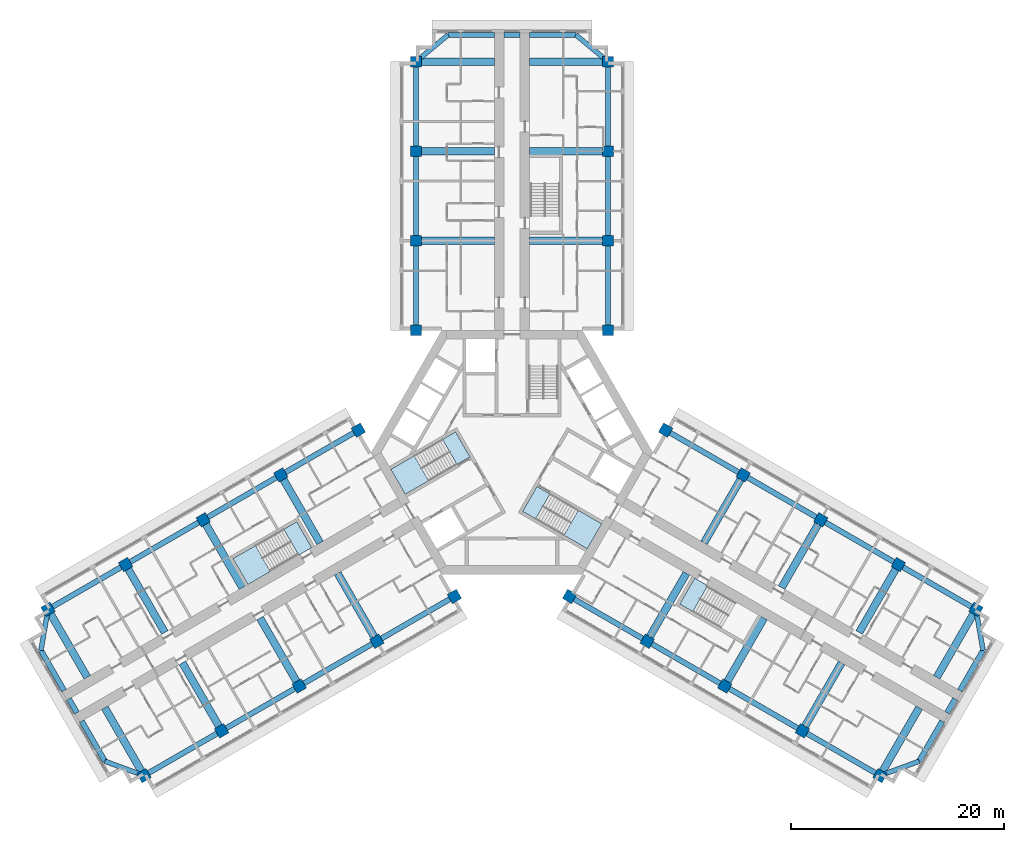
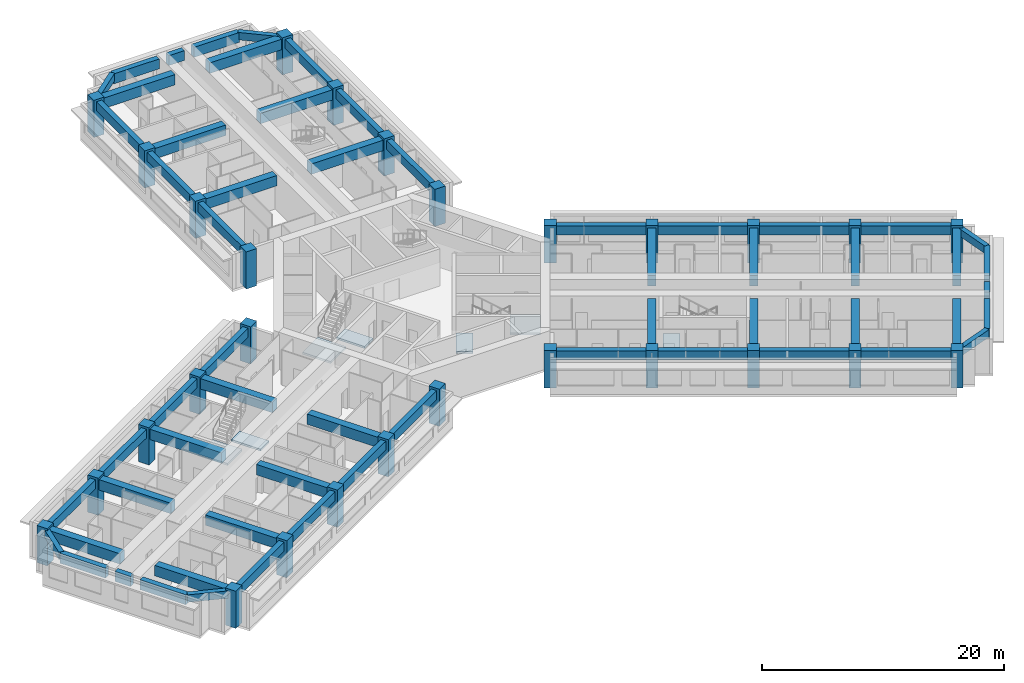
# One storey, part 1 of 15: 59 beams, 28 columns, 7 slabs, 4 elements without a shape of their own.
"""IFC4 building model written with IfcOpenShell, lengths in metres."""

from ifc_helpers import new_model, si_unit, direction, frame, origin, origin_2d, place, context, subcontext, project, spatial, polyline, rectangle, outline, extrude, material, layer, layer_set, material_profile, profile_set, type_object, element, aggregate, save


model = new_model("IFC4")

# Units and contexts
model_context = context("Model", 3, precision=1e-05, world=origin(), true_north=direction((0.0, 1.0)))
body_context = subcontext(model_context, "Body", "Model", "MODEL_VIEW")
ifc_project = project(units=[si_unit("LENGTHUNIT", "METRE"), si_unit("AREAUNIT", "SQUARE_METRE"), si_unit("VOLUMEUNIT", "CUBIC_METRE"), si_unit("PLANEANGLEUNIT", "RADIAN"), si_unit("MASSUNIT", "GRAM", prefix="KILO")], contexts=[model_context])

# Site, building, storey
site_placement = place(None, origin())
site = spatial("IfcSite", under=ifc_project, at=site_placement, CompositionType="ELEMENT")
building_placement = place(site_placement, origin())
building = spatial("IfcBuilding", under=site, at=building_placement, Name="Impinga Residences", CompositionType="ELEMENT")
storey_placement = place(building_placement, frame((0.0, 0.0, 113.5)))
storey = spatial("IfcBuildingStorey", under=building, at=storey_placement, Name="L27", CompositionType="ELEMENT", Elevation=113.5)

# Columns
ifc_material_1 = material(Name="Concrete C60/75", Category="concrete")
ifc_material_profile_1 = material_profile(ifc_material_1, rectangle(XDim=1.0, YDim=1.0, at=origin_2d()), Name="RC 1000x1000")
ifc_profile_set_1 = profile_set([ifc_material_profile_1], Name="Concrete C60/75")
column_type = type_object("IfcColumnType", Name="C3 1000x1000 column", PredefinedType="COLUMN", material=ifc_profile_set_1)
for number, where, z_axis, x_axis, name in (
    (1, (-9.0, 11.431640625, 0.0), (0.0, 0.0, 1.0), (1.0, 0.0, 0.0), "Column C3 N1/NA L27"),
    (2, (9.0, 11.431640625, 0.0), (0.0, 0.0, 1.0), (1.0, 0.0, 0.0), "Column C3 N1/NF L27"),
    (3, (-9.0, 19.83154296875, 0.0), (0.0, 0.0, 1.0), (1.0, 0.0, 0.0), "Column C3 N2/NA L27"),
    (4, (9.0, 19.83154296875, 0.0), (0.0, 0.0, 1.0), (1.0, 0.0, 0.0), "Column C3 N2/NF L27"),
    (5, (-9.0, 28.2314453125, 0.0), (0.0, 0.0, 1.0), (1.0, 0.0, 0.0), "Column C3 N3/NA L27"),
    (6, (9.0, 28.2314453125, 0.0), (0.0, 0.0, 1.0), (1.0, 0.0, 0.0), "Column C3 N3/NF L27"),
    (7, (-9.0, 36.631591796875, 0.0), (0.0, 0.0, 1.0), (1.0, 0.0, 0.0), "Column C3 N4/NA L27"),
    (8, (9.0, 36.631591796875, 0.0), (0.0, 0.0, 1.0), (1.0, 0.0, 0.0), "Column C3 N4/NF L27"),
    (9, (-5.39990234375, -13.510009765625, 0.0), (0.0, 0.0, 1.0), (-0.5, 0.866025403784, 0.0), "Column C3 W1/WA L27"),
    (10, (-14.39990234375, 2.078369140625, 0.0), (0.0, 0.0, 1.0), (-0.5, 0.866025403784, 0.0), "Column C3 W1/WF L27"),
    (11, (-12.674560546875, -17.7099609375, 0.0), (0.0, 0.0, 1.0), (-0.5, 0.866025403784, 0.0), "Column C3 W2/WA L27"),
    (12, (-21.674560546875, -2.12158203125, 0.0), (0.0, 0.0, 1.0), (-0.5, 0.866025403784, 0.0), "Column C3 W2/WF L27"),
    (13, (-19.94921875, -21.909912109375, 0.0), (0.0, 0.0, 1.0), (-0.5, 0.866025403784, 0.0), "Column C3 W3/WA L27"),
    (14, (-28.94921875, -6.321533203125, 0.0), (0.0, 0.0, 1.0), (-0.5, 0.866025403784, 0.0), "Column C3 W3/WF L27"),
    (15, (-27.223876953125, -26.110107421875, 0.0), (0.0, 0.0, 1.0), (-0.5, 0.866025403784, 0.0), "Column C3 W4/WA L27"),
    (16, (-36.223876953125, -10.521484375, 0.0), (0.0, 0.0, 1.0), (-0.5, 0.866025403784, 0.0), "Column C3 W4/WF L27"),
    (17, (-34.49853515625, -30.31005859375, 0.0), (0.0, 0.0, 1.0), (-0.5, 0.866025403784, 0.0), "Column C3 W5/WA L27"),
    (18, (-43.49853515625, -14.721435546875, 0.0), (0.0, 0.0, 1.0), (-0.5, 0.866025403784, 0.0), "Column C3 W5/WF L27"),
    (19, (14.39990234375, 2.078369140625, 0.0), (0.0, 0.0, 1.0), (-0.5, -0.866025403784, 0.0), "Column C3 E1/EA L27"),
    (20, (5.39990234375, -13.510009765625, 0.0), (0.0, 0.0, 1.0), (-0.5, -0.866025403784, 0.0), "Column C3 E1/EF L27"),
    (21, (21.674560546875, -2.12158203125, 0.0), (0.0, 0.0, 1.0), (-0.5, -0.866025403784, 0.0), "Column C3 E2/EA L27"),
    (22, (12.674560546875, -17.7099609375, 0.0), (0.0, 0.0, 1.0), (-0.5, -0.866025403784, 0.0), "Column C3 E2/EF L27"),
    (23, (28.94921875, -6.321533203125, 0.0), (0.0, 0.0, 1.0), (-0.5, -0.866025403784, 0.0), "Column C3 E3/EA L27"),
    (24, (19.94921875, -21.909912109375, 0.0), (0.0, 0.0, 1.0), (-0.5, -0.866025403784, 0.0), "Column C3 E3/EF L27"),
    (25, (36.223876953125, -10.521484375, 0.0), (0.0, 0.0, 1.0), (-0.5, -0.866025403784, 0.0), "Column C3 E4/EA L27"),
    (26, (27.223876953125, -26.110107421875, 0.0), (0.0, 0.0, 1.0), (-0.5, -0.866025403784, 0.0), "Column C3 E4/EF L27"),
    (27, (43.49853515625, -14.721435546875, 0.0), (0.0, 0.0, 1.0), (-0.5, -0.866025403784, 0.0), "Column C3 E5/EA L27"),
    (28, (34.49853515625, -30.31005859375, 0.0), (0.0, 0.0, 1.0), (-0.5, -0.866025403784, 0.0), "Column C3 E5/EF L27"),
):
    element("IfcColumn", number, at=place(storey_placement, frame(where, z_axis=z_axis, x_axis=x_axis)), inside=storey, type_object=column_type, Name=name, PredefinedType="COLUMN", context=body_context, shape_type="SweptSolid", body=[
        extrude(rectangle(XDim=1.0, YDim=1.0, at=origin_2d()), origin(), (0.0, 0.0, 1.0), 3.75),
    ])

# Beams
ifc_material_profile_2 = material_profile(ifc_material_1, rectangle(XDim=0.449951171875, YDim=0.75, at=origin_2d()), Name="RC 450x750")
ifc_profile_set_2 = profile_set([ifc_material_profile_2], Name="Concrete C60/75")
beam_type_1 = type_object("IfcBeamType", Name="CB1 450x750 wing end cantilever beam", PredefinedType="BEAM", material=ifc_profile_set_2)
for number, where, z_axis, x_axis, name in (
    (29, (-9.0, 36.631591796875, 3.155029296875), (0.768221279597, 0.640184399664, 0.0), (-0.640184399664, 0.768221279597, 0.0), "Beam CB1 NB N4-NX level L28"),
    (30, (9.0, 36.631591796875, 3.155029296875), (-0.768221279597, 0.640184399664, 0.0), (-0.640184399664, -0.768221279597, 0.0), "Beam CB1 NE N4-NX level L28"),
    (31, (-34.49853515625, -30.31005859375, 3.155029296875), (-0.938520178725, 0.345224382289, 0.0), (-0.345224382289, -0.938520178725, 0.0), "Beam CB1 WB W5-WX level L28"),
):
    element("IfcBeam", number, at=place(storey_placement, frame(where, z_axis=z_axis, x_axis=x_axis)), inside=storey, type_object=beam_type_1, Name=name, PredefinedType="BEAM", context=body_context, shape_type="SweptSolid", body=[
        extrude(rectangle(XDim=0.449951171875, YDim=0.75, at=origin_2d()), origin(), (0.0, 0.0, 1.0), 3.905029296875),
    ])
for number, where, z_axis, x_axis, name in (
    (32, (-43.49853515625, -14.721435546875, 3.155029296875), (-0.170296298948, -0.985392901621, 0.0), (0.985392901621, -0.170296298948, 0.0), "Beam CB1 WE W5-WX level L28"),
    (33, (43.49853515625, -14.721435546875, 3.155029296875), (0.170296298948, -0.985392901621, 0.0), (0.985392901621, 0.170296298948, 0.0), "Beam CB1 EB E5-EX level L28"),
):
    element("IfcBeam", number, at=place(storey_placement, frame(where, z_axis=z_axis, x_axis=x_axis)), inside=storey, type_object=beam_type_1, Name=name, PredefinedType="BEAM", context=body_context, shape_type="SweptSolid", body=[
        extrude(rectangle(XDim=0.449951171875, YDim=0.75, at=origin_2d()), origin(), (0.0, 0.0, 1.0), 3.9052734375),
    ])
beam_1_placement = place(storey_placement, frame((34.49853515625, -30.31005859375, 3.155029296875), z_axis=(0.938520178725, 0.345224382289, 0.0), x_axis=(-0.345224382289, 0.938520178725, 0.0)))
element("IfcBeam", 34, at=beam_1_placement, inside=storey, type_object=beam_type_1, Name="Beam CB1 EE E5-EX level L28", PredefinedType="BEAM", context=body_context, shape_type="SweptSolid", body=[
    extrude(rectangle(XDim=0.449951171875, YDim=0.75, at=origin_2d()), origin(), (0.0, 0.0, 1.0), 3.905029296875),
])
ifc_material_profile_3 = material_profile(ifc_material_1, rectangle(XDim=0.699951171875, YDim=1.050048828125, at=origin_2d()), Name="RC 700x1050")
ifc_profile_set_3 = profile_set([ifc_material_profile_3], Name="Concrete C60/75")
beam_type_2 = type_object("IfcBeamType", Name="CG1 700x1050 cross girder on a wing bay line", PredefinedType="BEAM", material=ifc_profile_set_3)
for number, where, z_axis, x_axis, name in (
    (35, (-1.64990234375, 19.83154296875, 3.0048828125), (-1.0, 0.0, 0.0), (0.0, -1.0, 0.0), "Beam CG1 N2 NC/NA level L28"),
    (36, (-1.64990234375, 28.2314453125, 3.0048828125), (-1.0, 0.0, 0.0), (0.0, -1.0, 0.0), "Beam CG1 N3 NC/NA level L28"),
    (37, (-1.64990234375, 36.631591796875, 3.0048828125), (-1.0, 0.0, 0.0), (0.0, -1.0, 0.0), "Beam CG1 N4 NC/NA level L28"),
    (38, (1.64990234375, 19.83154296875, 3.0048828125), (1.0, 0.0, 0.0), (0.0, 1.0, 0.0), "Beam CG1 N2 NC/NF level L28"),
    (39, (1.64990234375, 28.2314453125, 3.0048828125), (1.0, 0.0, 0.0), (0.0, 1.0, 0.0), "Beam CG1 N3 NC/NF level L28"),
    (40, (1.64990234375, 36.631591796875, 3.0048828125), (1.0, 0.0, 0.0), (0.0, 1.0, 0.0), "Beam CG1 N4 NC/NF level L28"),
    (41, (-16.349609375, -11.3447265625, 3.0048828125), (0.500008066151, -0.86602074674, 0.0), (0.86602074674, 0.500008066151, 0.0), "Beam CG1 W2 WC/WA level L28"),
    (42, (-23.624267578125, -15.544677734375, 3.0048828125), (0.500008066151, -0.86602074674, 0.0), (0.86602074674, 0.500008066151, 0.0), "Beam CG1 W3 WC/WA level L28"),
    (43, (-30.89892578125, -19.74462890625, 3.0048828125), (0.499993683172, -0.866029050776, 0.0), (0.866029050776, 0.499993683172, 0.0), "Beam CG1 W4 WC/WA level L28"),
):
    element("IfcBeam", number, at=place(storey_placement, frame(where, z_axis=z_axis, x_axis=x_axis)), inside=storey, type_object=beam_type_2, Name=name, PredefinedType="BEAM", context=body_context, shape_type="SweptSolid", body=[
        extrude(rectangle(XDim=0.699951171875, YDim=1.050048828125, at=origin_2d()), origin(), (0.0, 0.0, 1.0), 7.35009765625),
    ])
beam_2_placement = place(storey_placement, frame((-38.17333984375, -23.94482421875, 3.0048828125), z_axis=(0.499983153418, -0.866035129944, 0.0), x_axis=(0.866035129944, 0.499983153418, 0.0)))
element("IfcBeam", 44, at=beam_2_placement, inside=storey, type_object=beam_type_2, Name="Beam CG1 W5 WC/WA level L28", PredefinedType="BEAM", context=body_context, shape_type="SweptSolid", body=[
    extrude(rectangle(XDim=0.699951171875, YDim=1.050048828125, at=origin_2d()), origin(), (0.0, 0.0, 1.0), 7.349853515625),
])
for number, where, z_axis, x_axis, name in (
    (45, (-17.99951171875, -8.48681640625, 3.0048828125), (-0.500008066151, 0.86602074674, 0.0), (-0.86602074674, -0.500008066151, 0.0), "Beam CG1 W2 WC/WF level L28"),
    (46, (-25.274169921875, -12.686767578125, 3.0048828125), (-0.500008066151, 0.86602074674, 0.0), (-0.86602074674, -0.500008066151, 0.0), "Beam CG1 W3 WC/WF level L28"),
    (47, (-32.548828125, -16.88671875, 3.0048828125), (-0.500008066151, 0.86602074674, 0.0), (-0.86602074674, -0.500008066151, 0.0), "Beam CG1 W4 WC/WF level L28"),
    (48, (-39.823486328125, -21.0869140625, 3.0048828125), (-0.499993683172, 0.866029050776, 0.0), (-0.866029050776, -0.499993683172, 0.0), "Beam CG1 W5 WC/WF level L28"),
    (49, (17.99951171875, -8.48681640625, 3.0048828125), (0.500008066151, 0.86602074674, 0.0), (-0.86602074674, 0.500008066151, 0.0), "Beam CG1 E2 EC/EA level L28"),
    (50, (25.274169921875, -12.686767578125, 3.0048828125), (0.500008066151, 0.86602074674, 0.0), (-0.86602074674, 0.500008066151, 0.0), "Beam CG1 E3 EC/EA level L28"),
    (51, (32.548828125, -16.88671875, 3.0048828125), (0.500008066151, 0.86602074674, 0.0), (-0.86602074674, 0.500008066151, 0.0), "Beam CG1 E4 EC/EA level L28"),
    (52, (39.823486328125, -21.0869140625, 3.0048828125), (0.499993683172, 0.866029050776, 0.0), (-0.866029050776, 0.499993683172, 0.0), "Beam CG1 E5 EC/EA level L28"),
    (53, (16.349609375, -11.3447265625, 3.0048828125), (-0.500008066151, -0.86602074674, 0.0), (0.86602074674, -0.500008066151, 0.0), "Beam CG1 E2 EC/EF level L28"),
    (54, (23.624267578125, -15.544677734375, 3.0048828125), (-0.500008066151, -0.86602074674, 0.0), (0.86602074674, -0.500008066151, 0.0), "Beam CG1 E3 EC/EF level L28"),
    (55, (30.89892578125, -19.74462890625, 3.0048828125), (-0.499993683172, -0.866029050776, 0.0), (0.866029050776, -0.499993683172, 0.0), "Beam CG1 E4 EC/EF level L28"),
):
    element("IfcBeam", number, at=place(storey_placement, frame(where, z_axis=z_axis, x_axis=x_axis)), inside=storey, type_object=beam_type_2, Name=name, PredefinedType="BEAM", context=body_context, shape_type="SweptSolid", body=[
        extrude(rectangle(XDim=0.699951171875, YDim=1.050048828125, at=origin_2d()), origin(), (0.0, 0.0, 1.0), 7.35009765625),
    ])
beam_3_placement = place(storey_placement, frame((38.17333984375, -23.94482421875, 3.0048828125), z_axis=(-0.499983153418, -0.866035129944, 0.0), x_axis=(0.866035129944, -0.499983153418, 0.0)))
element("IfcBeam", 56, at=beam_3_placement, inside=storey, type_object=beam_type_2, Name="Beam CG1 E5 EC/EF level L28", PredefinedType="BEAM", context=body_context, shape_type="SweptSolid", body=[
    extrude(rectangle(XDim=0.699951171875, YDim=1.050048828125, at=origin_2d()), origin(), (0.0, 0.0, 1.0), 7.349853515625),
])
ifc_material_profile_4 = material_profile(ifc_material_1, rectangle(XDim=0.5, YDim=1.0, at=origin_2d()), Name="RC 500x1000")
ifc_profile_set_4 = profile_set([ifc_material_profile_4], Name="Concrete C60/75")
beam_type_3 = type_object("IfcBeamType", Name="EB1 500x1000 wing end beam", PredefinedType="BEAM", material=ifc_profile_set_4)
beam_4_placement = place(storey_placement, frame((-6.0, 39.131591796875, 3.030029296875), z_axis=(1.0, 0.0, 0.0), x_axis=(0.0, 1.0, 0.0)))
element("IfcBeam", 57, at=beam_4_placement, inside=storey, type_object=beam_type_3, Name="Beam EB1 NX3 level L28", PredefinedType="BEAM", context=body_context, shape_type="SweptSolid", body=[
    extrude(rectangle(XDim=0.5, YDim=1.0, at=origin_2d()), origin(), (0.0, 0.0, 1.0), 4.35009765625),
])
beam_5_placement = place(storey_placement, frame((-0.75, 39.131591796875, 3.030029296875), z_axis=(1.0, 0.0, 0.0), x_axis=(0.0, 1.0, 0.0)))
element("IfcBeam", 58, at=beam_5_placement, inside=storey, type_object=beam_type_3, Name="Beam EB1 NX3 level L28", PredefinedType="BEAM", context=body_context, shape_type="SweptSolid", body=[
    extrude(rectangle(XDim=0.5, YDim=1.0, at=origin_2d()), origin(), (0.0, 0.0, 1.0), 1.5),
])
beam_6_placement = place(storey_placement, frame((1.64990234375, 39.131591796875, 3.030029296875), z_axis=(1.0, 0.0, 0.0), x_axis=(0.0, 1.0, 0.0)))
element("IfcBeam", 59, at=beam_6_placement, inside=storey, type_object=beam_type_3, Name="Beam EB1 NX3 level L28", PredefinedType="BEAM", context=body_context, shape_type="SweptSolid", body=[
    extrude(rectangle(XDim=0.5, YDim=1.0, at=origin_2d()), origin(), (0.0, 0.0, 1.0), 4.35009765625),
])
beam_7_placement = place(storey_placement, frame((-38.16357421875, -28.9619140625, 3.030029296875), z_axis=(-0.500020430026, 0.866013608182, 0.0), x_axis=(-0.866013608182, -0.500020430026, 0.0)))
element("IfcBeam", 60, at=beam_7_placement, inside=storey, type_object=beam_type_3, Name="Beam EB1 WX4 level L28", PredefinedType="BEAM", context=body_context, shape_type="SweptSolid", body=[
    extrude(rectangle(XDim=0.5, YDim=1.0, at=origin_2d()), origin(), (0.0, 0.0, 1.0), 4.349853515625),
])
beam_8_placement = place(storey_placement, frame((-40.78857421875, -24.415283203125, 3.030029296875), z_axis=(-0.499990139034, 0.866031096941, 0.0), x_axis=(-0.866031096941, -0.499990139034, 0.0)))
element("IfcBeam", 61, at=beam_8_placement, inside=storey, type_object=beam_type_3, Name="Beam EB1 WX4 level L28", PredefinedType="BEAM", context=body_context, shape_type="SweptSolid", body=[
    extrude(rectangle(XDim=0.5, YDim=1.0, at=origin_2d()), origin(), (0.0, 0.0, 1.0), 1.5),
])
for number, where, z_axis, x_axis, name in (
    (62, (-41.988525390625, -22.3369140625, 3.030029296875), (-0.499996127374, 0.866027639635, 0.0), (-0.866027639635, -0.499996127374, 0.0), "Beam EB1 WX4 level L28"),
    (63, (44.16357421875, -18.569580078125, 3.030029296875), (-0.499996127374, -0.866027639635, 0.0), (0.866027639635, -0.499996127374, 0.0), "Beam EB1 EX4 level L28"),
):
    element("IfcBeam", number, at=place(storey_placement, frame(where, z_axis=z_axis, x_axis=x_axis)), inside=storey, type_object=beam_type_3, Name=name, PredefinedType="BEAM", context=body_context, shape_type="SweptSolid", body=[
        extrude(rectangle(XDim=0.5, YDim=1.0, at=origin_2d()), origin(), (0.0, 0.0, 1.0), 4.35009765625),
    ])
beam_9_placement = place(storey_placement, frame((41.53857421875, -23.1162109375, 3.030029296875), z_axis=(-0.499990139034, -0.866031096941, 0.0), x_axis=(0.866031096941, -0.499990139034, 0.0)))
element("IfcBeam", 64, at=beam_9_placement, inside=storey, type_object=beam_type_3, Name="Beam EB1 EX4 level L28", PredefinedType="BEAM", context=body_context, shape_type="SweptSolid", body=[
    extrude(rectangle(XDim=0.5, YDim=1.0, at=origin_2d()), origin(), (0.0, 0.0, 1.0), 1.5),
])
beam_10_placement = place(storey_placement, frame((40.338623046875, -25.19482421875, 3.030029296875), z_axis=(-0.500020430026, -0.866013608182, 0.0), x_axis=(0.866013608182, -0.500020430026, 0.0)))
element("IfcBeam", 65, at=beam_10_placement, inside=storey, type_object=beam_type_3, Name="Beam EB1 EX4 level L28", PredefinedType="BEAM", context=body_context, shape_type="SweptSolid", body=[
    extrude(rectangle(XDim=0.5, YDim=1.0, at=origin_2d()), origin(), (0.0, 0.0, 1.0), 4.349853515625),
])
ifc_material_profile_5 = material_profile(ifc_material_1, rectangle(XDim=0.5, YDim=0.89990234375, at=origin_2d()), Name="RC 500x900")
ifc_profile_set_5 = profile_set([ifc_material_profile_5], Name="Concrete C60/75")
beam_type_4 = type_object("IfcBeamType", Name="SB1 500x900 perimeter spandrel beam", PredefinedType="SPANDREL", material=ifc_profile_set_5)
for number, where, z_axis, x_axis, name in (
    (66, (-9.0, 11.431640625, 3.080078125), (0.0, 1.0, 0.0), (-1.0, 0.0, 0.0), "Beam SB1 NA N1-N2 level L28"),
    (67, (-9.0, 19.83154296875, 3.080078125), (0.0, 1.0, 0.0), (-1.0, 0.0, 0.0), "Beam SB1 NA N2-N3 level L28"),
):
    element("IfcBeam", number, at=place(storey_placement, frame(where, z_axis=z_axis, x_axis=x_axis)), inside=storey, type_object=beam_type_4, Name=name, PredefinedType="SPANDREL", context=body_context, shape_type="SweptSolid", body=[
        extrude(rectangle(XDim=0.5, YDim=0.89990234375, at=origin_2d()), origin(), (0.0, 0.0, 1.0), 8.39990234375),
    ])
beam_11_placement = place(storey_placement, frame((-9.0, 28.2314453125, 3.080078125), z_axis=(0.0, 1.0, 0.0), x_axis=(-1.0, 0.0, 0.0)))
element("IfcBeam", 68, at=beam_11_placement, inside=storey, type_object=beam_type_4, Name="Beam SB1 NA N3-N4 level L28", PredefinedType="SPANDREL", context=body_context, shape_type="SweptSolid", body=[
    extrude(rectangle(XDim=0.5, YDim=0.89990234375, at=origin_2d()), origin(), (0.0, 0.0, 1.0), 8.400146484375),
])
for number, where, z_axis, x_axis, name in (
    (69, (9.0, 11.431640625, 3.080078125), (0.0, 1.0, 0.0), (-1.0, 0.0, 0.0), "Beam SB1 NF N1-N2 level L28"),
    (70, (9.0, 19.83154296875, 3.080078125), (0.0, 1.0, 0.0), (-1.0, 0.0, 0.0), "Beam SB1 NF N2-N3 level L28"),
):
    element("IfcBeam", number, at=place(storey_placement, frame(where, z_axis=z_axis, x_axis=x_axis)), inside=storey, type_object=beam_type_4, Name=name, PredefinedType="SPANDREL", context=body_context, shape_type="SweptSolid", body=[
        extrude(rectangle(XDim=0.5, YDim=0.89990234375, at=origin_2d()), origin(), (0.0, 0.0, 1.0), 8.39990234375),
    ])
beam_12_placement = place(storey_placement, frame((9.0, 28.2314453125, 3.080078125), z_axis=(0.0, 1.0, 0.0), x_axis=(-1.0, 0.0, 0.0)))
element("IfcBeam", 71, at=beam_12_placement, inside=storey, type_object=beam_type_4, Name="Beam SB1 NF N3-N4 level L28", PredefinedType="SPANDREL", context=body_context, shape_type="SweptSolid", body=[
    extrude(rectangle(XDim=0.5, YDim=0.89990234375, at=origin_2d()), origin(), (0.0, 0.0, 1.0), 8.400146484375),
])
for number, where, z_axis, x_axis, name in (
    (72, (-5.39990234375, -13.510009765625, 3.080078125), (-0.86602925447, -0.499993330357, 0.0), (0.499993330357, -0.86602925447, 0.0), "Beam SB1 WA W1-W2 level L28"),
    (73, (-12.674560546875, -17.7099609375, 3.080078125), (-0.86602925447, -0.499993330357, 0.0), (0.499993330357, -0.86602925447, 0.0), "Beam SB1 WA W2-W3 level L28"),
):
    element("IfcBeam", number, at=place(storey_placement, frame(where, z_axis=z_axis, x_axis=x_axis)), inside=storey, type_object=beam_type_4, Name=name, PredefinedType="SPANDREL", context=body_context, shape_type="SweptSolid", body=[
        extrude(rectangle(XDim=0.5, YDim=0.89990234375, at=origin_2d()), origin(), (0.0, 0.0, 1.0), 8.39990234375),
    ])
beam_13_placement = place(storey_placement, frame((-19.94921875, -21.909912109375, 3.080078125), z_axis=(-0.866016669275, -0.500015128309, 0.0), x_axis=(0.500015128309, -0.866016669275, 0.0)))
element("IfcBeam", 74, at=beam_13_placement, inside=storey, type_object=beam_type_4, Name="Beam SB1 WA W3-W4 level L28", PredefinedType="SPANDREL", context=body_context, shape_type="SweptSolid", body=[
    extrude(rectangle(XDim=0.5, YDim=0.89990234375, at=origin_2d()), origin(), (0.0, 0.0, 1.0), 8.400146484375),
])
for number, where, z_axis, x_axis, name in (
    (75, (-27.223876953125, -26.110107421875, 3.080078125), (-0.86602925447, -0.499993330357, 0.0), (0.499993330357, -0.86602925447, 0.0), "Beam SB1 WA W4-W5 level L28"),
    (76, (-14.39990234375, 2.078369140625, 3.080078125), (-0.86602925447, -0.499993330357, 0.0), (0.499993330357, -0.86602925447, 0.0), "Beam SB1 WF W1-W2 level L28"),
    (77, (-21.674560546875, -2.12158203125, 3.080078125), (-0.86602925447, -0.499993330357, 0.0), (0.499993330357, -0.86602925447, 0.0), "Beam SB1 WF W2-W3 level L28"),
    (78, (-28.94921875, -6.321533203125, 3.080078125), (-0.86602925447, -0.499993330357, 0.0), (0.499993330357, -0.86602925447, 0.0), "Beam SB1 WF W3-W4 level L28"),
    (79, (-36.223876953125, -10.521484375, 3.080078125), (-0.86602925447, -0.499993330357, 0.0), (0.499993330357, -0.86602925447, 0.0), "Beam SB1 WF W4-W5 level L28"),
    (80, (14.39990234375, 2.078369140625, 3.080078125), (0.86602925447, -0.499993330357, 0.0), (0.499993330357, 0.86602925447, 0.0), "Beam SB1 EA E1-E2 level L28"),
    (81, (21.674560546875, -2.12158203125, 3.080078125), (0.86602925447, -0.499993330357, 0.0), (0.499993330357, 0.86602925447, 0.0), "Beam SB1 EA E2-E3 level L28"),
    (82, (28.94921875, -6.321533203125, 3.080078125), (0.86602925447, -0.499993330357, 0.0), (0.499993330357, 0.86602925447, 0.0), "Beam SB1 EA E3-E4 level L28"),
    (83, (36.223876953125, -10.521484375, 3.080078125), (0.86602925447, -0.499993330357, 0.0), (0.499993330357, 0.86602925447, 0.0), "Beam SB1 EA E4-E5 level L28"),
    (84, (5.39990234375, -13.510009765625, 3.080078125), (0.86602925447, -0.499993330357, 0.0), (0.499993330357, 0.86602925447, 0.0), "Beam SB1 EF E1-E2 level L28"),
    (85, (12.674560546875, -17.7099609375, 3.080078125), (0.86602925447, -0.499993330357, 0.0), (0.499993330357, 0.86602925447, 0.0), "Beam SB1 EF E2-E3 level L28"),
):
    element("IfcBeam", number, at=place(storey_placement, frame(where, z_axis=z_axis, x_axis=x_axis)), inside=storey, type_object=beam_type_4, Name=name, PredefinedType="SPANDREL", context=body_context, shape_type="SweptSolid", body=[
        extrude(rectangle(XDim=0.5, YDim=0.89990234375, at=origin_2d()), origin(), (0.0, 0.0, 1.0), 8.39990234375),
    ])
beam_14_placement = place(storey_placement, frame((19.94921875, -21.909912109375, 3.080078125), z_axis=(0.866016669275, -0.500015128309, 0.0), x_axis=(0.500015128309, 0.866016669275, 0.0)))
element("IfcBeam", 86, at=beam_14_placement, inside=storey, type_object=beam_type_4, Name="Beam SB1 EF E3-E4 level L28", PredefinedType="SPANDREL", context=body_context, shape_type="SweptSolid", body=[
    extrude(rectangle(XDim=0.5, YDim=0.89990234375, at=origin_2d()), origin(), (0.0, 0.0, 1.0), 8.400146484375),
])
beam_15_placement = place(storey_placement, frame((27.223876953125, -26.110107421875, 3.080078125), z_axis=(0.86602925447, -0.499993330357, 0.0), x_axis=(0.499993330357, 0.86602925447, 0.0)))
element("IfcBeam", 87, at=beam_15_placement, inside=storey, type_object=beam_type_4, Name="Beam SB1 EF E4-E5 level L28", PredefinedType="SPANDREL", context=body_context, shape_type="SweptSolid", body=[
    extrude(rectangle(XDim=0.5, YDim=0.89990234375, at=origin_2d()), origin(), (0.0, 0.0, 1.0), 8.39990234375),
])

# Stair, slabs
ifc_material_2 = material(Name="Concrete C40/50", Category="concrete")
stair_type_1 = type_object("IfcStairType", Name="STR core stair 3750 storey, 24 risers", PredefinedType="HALF_TURN_STAIR", material=ifc_material_2)
stair_1_placement = place(storey_placement, origin())
stair_1 = element("IfcStair", 88, at=stair_1_placement, inside=storey, type_object=stair_type_1, Name="Stair ST2 L27", PredefinedType="HALF_TURN_STAIR")
ifc_layer = layer(ifc_material_2, 0.199951171875)
ifc_layer_set = layer_set([ifc_layer], Name="Concrete C40/50")
slab_type = type_object("IfcSlabType", Name="LS1 stair landing 200", PredefinedType="LANDING", material=ifc_layer_set)
slab_1_placement = place(storey_placement, frame((0.0, 0.0, -0.199951171875)))
slab_1 = element("IfcSlab", 89, at=slab_1_placement, type_object=slab_type, Name="ST2 landing 1", PredefinedType="LANDING", context=body_context, shape_type="SweptSolid", body=[
    extrude(outline(polyline([(-3.943603515625, -0.429443359375), (-5.293701171875, 1.908935546875), (-6.5146484375, 1.203857421875), (-5.164794921875, -1.13427734375), (-3.943603515625, -0.429443359375)])), origin(), (0.0, 0.0, 1.0), 0.199951171875),
])
slab_2_placement = place(storey_placement, frame((0.0, 0.0, 1.675048828125)))
slab_2 = element("IfcSlab", 90, at=slab_2_placement, type_object=slab_type, Name="ST2 landing 2", PredefinedType="LANDING", context=body_context, shape_type="SweptSolid", body=[
    extrude(outline(polyline([(-7.814697265625, -2.664306640625), (-9.164794921875, -0.326171875), (-11.357177734375, -1.591796875), (-10.007080078125, -3.93017578125), (-7.814697265625, -2.664306640625)])), origin(), (0.0, 0.0, 1.0), 0.199951171875),
])
aggregate(stair_1, [slab_1, slab_2])

stair_2_placement = place(storey_placement, origin())
stair_2 = element("IfcStair", 91, at=stair_2_placement, inside=storey, type_object=stair_type_1, Name="Stair ST3 L27", PredefinedType="HALF_TURN_STAIR")
slab_3_placement = place(storey_placement, frame((0.0, 0.0, -0.199951171875)))
slab_3 = element("IfcSlab", 92, at=slab_3_placement, type_object=slab_type, Name="ST3 landing 1", PredefinedType="LANDING", context=body_context, shape_type="SweptSolid", body=[
    extrude(outline(polyline([(2.34375, -3.20068359375), (0.99365234375, -5.538818359375), (2.21484375, -6.243896484375), (3.564697265625, -3.90576171875), (2.34375, -3.20068359375)])), origin(), (0.0, 0.0, 1.0), 0.199951171875),
])
slab_4_placement = place(storey_placement, frame((0.0, 0.0, 1.675048828125)))
slab_4 = element("IfcSlab", 93, at=slab_4_placement, type_object=slab_type, Name="ST3 landing 2", PredefinedType="LANDING", context=body_context, shape_type="SweptSolid", body=[
    extrude(outline(polyline([(6.21484375, -5.435546875), (4.86474609375, -7.77392578125), (7.05712890625, -9.039794921875), (8.4072265625, -6.701416015625), (6.21484375, -5.435546875)])), origin(), (0.0, 0.0, 1.0), 0.199951171875),
])
aggregate(stair_2, [slab_3, slab_4])

stair_type_2 = type_object("IfcStairType", Name="STR wing stair 3750 storey, 24 risers", PredefinedType="HALF_TURN_STAIR", material=ifc_material_2)
stair_3_placement = place(storey_placement, origin())
stair_3 = element("IfcStair", 94, at=stair_3_placement, inside=storey, type_object=stair_type_2, Name="Stair WS2 L27", PredefinedType="HALF_TURN_STAIR")
slab_5_placement = place(storey_placement, frame((0.0, 0.0, -0.199951171875)))
slab_5 = element("IfcSlab", 95, at=slab_5_placement, type_object=slab_type, Name="WS2 landing 1", PredefinedType="LANDING", context=body_context, shape_type="SweptSolid", body=[
    extrude(outline(polyline([(-18.779052734375, -8.936767578125), (-20.178955078125, -6.511962890625), (-21.400146484375, -7.217041015625), (-20.000244140625, -9.641845703125), (-18.779052734375, -8.936767578125)])), origin(), (0.0, 0.0, 1.0), 0.199951171875),
])
slab_6_placement = place(storey_placement, frame((0.0, 0.0, 1.675048828125)))
slab_6 = element("IfcSlab", 96, at=slab_6_placement, type_object=slab_type, Name="WS2 landing 2", PredefinedType="LANDING", context=body_context, shape_type="SweptSolid", body=[
    extrude(outline(polyline([(-22.650146484375, -11.171875), (-24.050048828125, -8.7470703125), (-26.154541015625, -9.9619140625), (-24.754638671875, -12.38671875), (-22.650146484375, -11.171875)])), origin(), (0.0, 0.0, 1.0), 0.199951171875),
])
aggregate(stair_3, [slab_5, slab_6])

# Stair, slab
stair_4_placement = place(storey_placement, origin())
stair_4 = element("IfcStair", 97, at=stair_4_placement, inside=storey, type_object=stair_type_2, Name="Stair WS3 L27", PredefinedType="HALF_TURN_STAIR")
slab_7_placement = place(storey_placement, frame((0.0, 0.0, -0.199951171875)))
slab_7 = element("IfcSlab", 98, at=slab_7_placement, type_object=slab_type, Name="WS3 landing 1", PredefinedType="LANDING", context=body_context, shape_type="SweptSolid", body=[
    extrude(outline(polyline([(17.129150390625, -11.794677734375), (15.72900390625, -14.219482421875), (16.9501953125, -14.924560546875), (18.35009765625, -12.499755859375), (17.129150390625, -11.794677734375)])), origin(), (0.0, 0.0, 1.0), 0.199951171875),
])
aggregate(stair_4, [slab_7])

save(model, "model.ifc")
